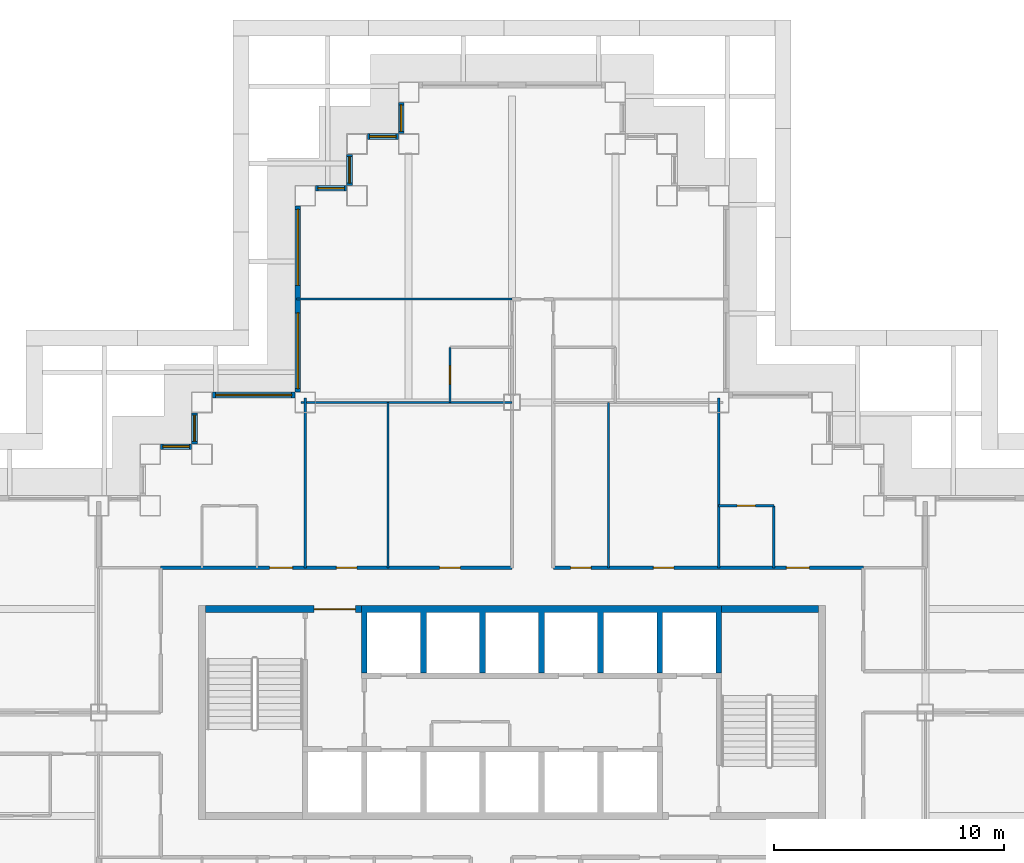
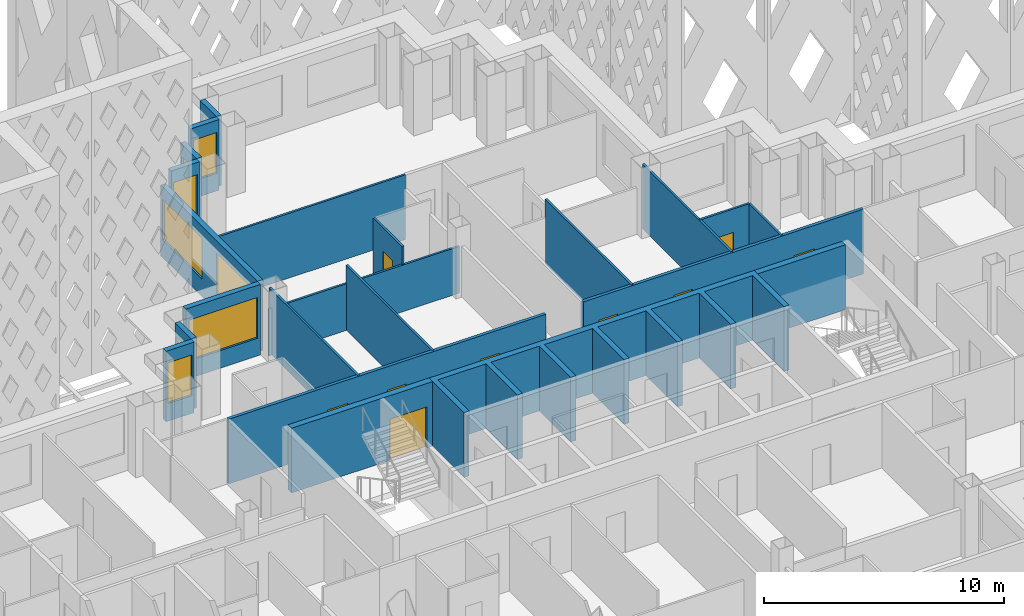
# One storey, part 7 of 21: 22 walls, 9 doors, 9 windows, 18 openings.
"""IFC4 building model written with IfcOpenShell, lengths in metres."""

from ifc_helpers import new_model, si_unit, direction, frame, frame_2d, origin, place, context, subcontext, project, spatial, polyline, rectangle, outline, extrude, material, layer, layer_set, type_object, element, fill, save


model = new_model("IFC4")

# Units and contexts
model_context = context("Model", 3, precision=1e-05, world=origin(), true_north=direction((0.0, 1.0)))
body_context = subcontext(model_context, "Body", "Model", "MODEL_VIEW")
ifc_project = project(units=[si_unit("LENGTHUNIT", "METRE"), si_unit("AREAUNIT", "SQUARE_METRE"), si_unit("VOLUMEUNIT", "CUBIC_METRE"), si_unit("PLANEANGLEUNIT", "RADIAN"), si_unit("MASSUNIT", "GRAM", prefix="KILO")], contexts=[model_context])

# Site, building, storey
site_placement = place(None, origin())
site = spatial("IfcSite", under=ifc_project, at=site_placement, CompositionType="ELEMENT")
building_placement = place(site_placement, origin())
building = spatial("IfcBuilding", under=site, at=building_placement, Name="Caravel Reach Hotel and Residences", CompositionType="ELEMENT")
storey_placement = place(building_placement, frame((0.0, 0.0, 100.800048828125)))
storey = spatial("IfcBuildingStorey", under=building, at=storey_placement, Name="L24", CompositionType="ELEMENT", Elevation=100.800048828125)

# Wall, opening, door
ifc_material_1 = material(Name="Gypsum board on steel stud", Category="steel")
ifc_layer_1 = layer(ifc_material_1, 0.10009765625)
ifc_layer_set_1 = layer_set([ifc_layer_1], Name="Bathroom pod wall 100 mm")
wall_type_1 = type_object("IfcWallType", Name="Bathroom pod wall 100 mm", PredefinedType="PARTITIONING", material=ifc_layer_set_1)
wall_1_placement = place(storey_placement, frame((40.5, 36.0, 0.0), z_axis=(0.0, 0.0, 1.0), x_axis=(1.0, 0.0, 0.0)))
wall_1 = element("IfcWall", 1, at=wall_1_placement, inside=storey, type_object=wall_type_1, Name="L24 wall w093", PredefinedType="PARTITIONING", context=body_context, shape_type="SweptSolid", body=[
    extrude(rectangle(XDim=2.39990234375, YDim=0.10009765625, at=frame_2d((1.199951171875, 0.0))), origin(), (0.0, 0.0, 1.0), 3.300048828125),
])
opening_1_placement = place(wall_1_placement, frame((0.800048828125, 0.0, 0.0)))
opening_1 = element("IfcOpeningElement", 2, at=opening_1_placement, cuts=wall_1, Name="Opening D24-048", PredefinedType="OPENING", context=body_context, shape_type="SweptSolid", body=[
    extrude(rectangle(XDim=0.800048828125, YDim=2.10009765625, at=frame_2d((0.39990234375, 1.050048828125))), frame((0.0, 0.06005859375, 0.0), z_axis=(0.0, -1.0, 0.0), x_axis=(1.0, 0.0, 0.0)), (0.0, 0.0, 1.0), 0.1201171875),
])
ifc_material_2 = material(Name="Timber and steel door leaf", Category="steel")
door_type_1 = type_object("IfcDoorType", Name="Bathroom door 800 x 2100", OperationType="SINGLE_SWING_LEFT", PredefinedType="DOOR", material=ifc_material_2)
door_1_placement = place(opening_1_placement, origin())
door_1 = element("IfcDoor", 3, at=door_1_placement, inside=storey, type_object=door_type_1, Name="door D24-048", OperationType="SINGLE_SWING_LEFT", OverallHeight=2.10009765625, OverallWidth=0.800048828125, PredefinedType="DOOR", context=body_context, shape_type="SweptSolid", body=[
    extrude(rectangle(XDim=0.800048828125, YDim=2.10009765625, at=frame_2d((0.39990234375, 1.050048828125))), frame((0.0, 0.02490234375, 0.0), z_axis=(0.0, -1.0, 0.0), x_axis=(1.0, 0.0, 0.0)), (0.0, 0.0, 1.0), 0.050048828125),
])
fill(opening_1, door_1)

wall_2_placement = place(storey_placement, frame((28.800048828125, 40.5, 0.0), z_axis=(0.0, 0.0, 1.0), x_axis=(0.0, 1.0, 0.0)))
wall_2 = element("IfcWall", 4, at=wall_2_placement, inside=storey, type_object=wall_type_1, Name="L24 wall w106", PredefinedType="PARTITIONING", context=body_context, shape_type="SweptSolid", body=[
    extrude(rectangle(XDim=2.39990234375, YDim=0.10009765625, at=frame_2d((1.199951171875, 0.0))), origin(), (0.0, 0.0, 1.0), 3.300048828125),
])
opening_2_placement = place(wall_2_placement, frame((0.800048828125, 0.0, 0.0)))
opening_2 = element("IfcOpeningElement", 5, at=opening_2_placement, cuts=wall_2, Name="Opening D24-029", PredefinedType="OPENING", context=body_context, shape_type="SweptSolid", body=[
    extrude(rectangle(XDim=0.800048828125, YDim=2.10009765625, at=frame_2d((0.39990234375, 1.050048828125))), frame((0.0, 0.06005859375, 0.0), z_axis=(0.0, -1.0, 0.0), x_axis=(1.0, 0.0, 0.0)), (0.0, 0.0, 1.0), 0.1201171875),
])
door_2_placement = place(opening_2_placement, origin())
door_2 = element("IfcDoor", 6, at=door_2_placement, inside=storey, type_object=door_type_1, Name="door D24-029", OperationType="SINGLE_SWING_LEFT", OverallHeight=2.10009765625, OverallWidth=0.800048828125, PredefinedType="DOOR", context=body_context, shape_type="SweptSolid", body=[
    extrude(rectangle(XDim=0.800048828125, YDim=2.10009765625, at=frame_2d((0.39990234375, 1.050048828125))), frame((0.0, 0.02490234375, 0.0), z_axis=(0.0, -1.0, 0.0), x_axis=(1.0, 0.0, 0.0)), (0.0, 0.0, 1.0), 0.050048828125),
])
fill(opening_2, door_2)

# Wall
wall_3_placement = place(storey_placement, frame((42.89990234375, 33.300048828125, 0.0), z_axis=(0.0, 0.0, 1.0), x_axis=(0.0, 1.0, 0.0)))
element("IfcWall", 7, at=wall_3_placement, inside=storey, type_object=wall_type_1, Name="L24 wall w111", PredefinedType="PARTITIONING", context=body_context, shape_type="SweptSolid", body=[
    extrude(rectangle(XDim=2.699951171875, YDim=0.10009765625, at=frame_2d((1.35009765625, 0.0))), origin(), (0.0, 0.0, 1.0), 3.300048828125),
])

# Wall, opening, door
ifc_material_3 = material(Name="Concrete C60", Category="concrete")
ifc_layer_2 = layer(ifc_material_3, 0.300048828125)
ifc_layer_set_2 = layer_set([ifc_layer_2], Name="Core wall 300 mm EI 120")
wall_type_2 = type_object("IfcWallType", Name="Core wall 300 mm EI 120", PredefinedType="SHEAR", material=ifc_layer_set_2)
wall_4_placement = place(storey_placement, frame((18.14990234375, 31.5, 0.0), z_axis=(0.0, 0.0, 1.0), x_axis=(1.0, 0.0, 0.0)))
wall_4 = element("IfcWall", 8, at=wall_4_placement, inside=storey, type_object=wall_type_2, Name="L24 core wall N1", PredefinedType="SHEAR", context=body_context, shape_type="SweptSolid", body=[
    extrude(rectangle(XDim=6.796630859375, YDim=0.300048828125, at=frame_2d((3.3984375, 0.0))), origin(), (0.0, 0.0, 1.0), 3.300048828125),
])
opening_3_placement = place(wall_4_placement, frame((4.735595703125, 0.0, 0.0)))
opening_3 = element("IfcOpeningElement", 9, at=opening_3_placement, cuts=wall_4, Name="Opening D24-013", PredefinedType="OPENING", context=body_context, shape_type="SweptSolid", body=[
    extrude(rectangle(XDim=1.800048828125, YDim=2.10009765625, at=frame_2d((0.89990234375, 1.050048828125))), frame((0.0, 0.159912109375, 0.0), z_axis=(0.0, -1.0, 0.0), x_axis=(1.0, 0.0, 0.0)), (0.0, 0.0, 1.0), 0.320068359375),
])
ifc_material_4 = material(Name="Steel fire door leaf", Category="steel")
door_type_2 = type_object("IfcDoorType", Name="Fire lobby door pair 1800 x 2100 EI 90", OperationType="DOUBLE_DOOR_SINGLE_SWING", PredefinedType="DOOR", material=ifc_material_4)
door_3_placement = place(opening_3_placement, origin())
door_3 = element("IfcDoor", 10, at=door_3_placement, inside=storey, type_object=door_type_2, Name="lobby N door pair to corridor", OperationType="DOUBLE_DOOR_SINGLE_SWING", OverallHeight=2.10009765625, OverallWidth=1.800048828125, PredefinedType="DOOR", context=body_context, shape_type="SweptSolid", body=[
    extrude(rectangle(XDim=1.800048828125, YDim=2.10009765625, at=frame_2d((0.89990234375, 1.050048828125))), frame((0.0, 0.02490234375, 0.0), z_axis=(0.0, -1.0, 0.0), x_axis=(1.0, 0.0, 0.0)), (0.0, 0.0, 1.0), 0.050048828125),
])
fill(opening_3, door_3)

# Wall
wall_5_placement = place(storey_placement, frame((40.625, 31.5, 0.0), z_axis=(0.0, 0.0, 1.0), x_axis=(1.0, 0.0, 0.0)))
element("IfcWall", 11, at=wall_5_placement, inside=storey, type_object=wall_type_2, Name="L24 core wall N2", PredefinedType="SHEAR", context=body_context, shape_type="SweptSolid", body=[
    extrude(rectangle(XDim=4.22509765625, YDim=0.300048828125, at=frame_2d((2.112548828125, 0.0))), origin(), (0.0, 0.0, 1.0), 3.300048828125),
])

# Wall, openings, doors
ifc_material_5 = material(Name="Gypsum board on steel stud, fire-rated", Category="steel")
ifc_layer_3 = layer(ifc_material_5, 0.14990234375)
ifc_layer_set_3 = layer_set([ifc_layer_3], Name="Corridor wall 150 mm EI 60")
wall_type_3 = type_object("IfcWallType", Name="Corridor wall 150 mm EI 60", PredefinedType="PARTITIONING", material=ifc_layer_set_3)
wall_6_placement = place(storey_placement, frame((16.199951171875, 33.300048828125, 0.0), z_axis=(0.0, 0.0, 1.0), x_axis=(1.0, 0.0, 0.0)))
wall_6 = element("IfcWall", 12, at=wall_6_placement, inside=storey, type_object=wall_type_3, Name="L24 wall w018", PredefinedType="PARTITIONING", context=body_context, shape_type="SweptSolid", body=[
    extrude(rectangle(XDim=15.300048828125, YDim=0.14990234375, at=frame_2d((7.64990234375, 0.0))), origin(), (0.0, 0.0, 1.0), 3.300048828125),
])
opening_4_placement = place(wall_6_placement, frame((4.75, 0.0, 0.0)))
opening_4 = element("IfcOpeningElement", 13, at=opening_4_placement, cuts=wall_6, Name="Opening D24-045", PredefinedType="OPENING", context=body_context, shape_type="SweptSolid", body=[
    extrude(rectangle(XDim=1.0, YDim=2.10009765625, at=frame_2d((0.5, 1.050048828125))), frame((0.0, 0.0849609375, 0.0), z_axis=(0.0, -1.0, 0.0), x_axis=(1.0, 0.0, 0.0)), (0.0, 0.0, 1.0), 0.169921875),
])
opening_5_placement = place(wall_6_placement, frame((7.650146484375, 0.0, 0.0)))
opening_5 = element("IfcOpeningElement", 14, at=opening_5_placement, cuts=wall_6, Name="Opening D24-053", PredefinedType="OPENING", context=body_context, shape_type="SweptSolid", body=[
    extrude(rectangle(XDim=0.89990234375, YDim=2.10009765625, at=frame_2d((0.449951171875, 1.050048828125))), frame((0.0, 0.0849609375, 0.0), z_axis=(0.0, -1.0, 0.0), x_axis=(1.0, 0.0, 0.0)), (0.0, 0.0, 1.0), 0.169921875),
])
opening_6_placement = place(wall_6_placement, frame((12.14990234375, 0.0, 0.0)))
opening_6 = element("IfcOpeningElement", 15, at=opening_6_placement, cuts=wall_6, Name="Opening D24-054", PredefinedType="OPENING", context=body_context, shape_type="SweptSolid", body=[
    extrude(rectangle(XDim=0.89990234375, YDim=2.10009765625, at=frame_2d((0.449951171875, 1.050048828125))), frame((0.0, 0.0849609375, 0.0), z_axis=(0.0, -1.0, 0.0), x_axis=(1.0, 0.0, 0.0)), (0.0, 0.0, 1.0), 0.169921875),
])
ifc_material_6 = material(Name="Timber and steel door leaf", Category="steel")
door_type_3 = type_object("IfcDoorType", Name="Door 900 x 2100 timber", OperationType="SINGLE_SWING_LEFT", PredefinedType="DOOR", material=ifc_material_6)
door_4_placement = place(opening_5_placement, origin())
door_4 = element("IfcDoor", 16, at=door_4_placement, inside=storey, type_object=door_type_3, Name="door D24-053", OperationType="SINGLE_SWING_LEFT", OverallHeight=2.10009765625, OverallWidth=0.89990234375, PredefinedType="DOOR", context=body_context, shape_type="SweptSolid", body=[
    extrude(rectangle(XDim=0.89990234375, YDim=2.10009765625, at=frame_2d((0.449951171875, 1.050048828125))), frame((0.0, 0.02490234375, 0.0), z_axis=(0.0, -1.0, 0.0), x_axis=(1.0, 0.0, 0.0)), (0.0, 0.0, 1.0), 0.050048828125),
])
fill(opening_5, door_4)
door_5_placement = place(opening_6_placement, origin())
door_5 = element("IfcDoor", 17, at=door_5_placement, inside=storey, type_object=door_type_3, Name="door D24-054", OperationType="SINGLE_SWING_RIGHT", OverallHeight=2.10009765625, OverallWidth=0.89990234375, PredefinedType="DOOR", context=body_context, shape_type="SweptSolid", body=[
    extrude(rectangle(XDim=0.89990234375, YDim=2.10009765625, at=frame_2d((0.449951171875, 1.050048828125))), frame((0.0, 0.02490234375, 0.0), z_axis=(0.0, -1.0, 0.0), x_axis=(1.0, 0.0, 0.0)), (0.0, 0.0, 1.0), 0.050048828125),
])
fill(opening_6, door_5)
ifc_material_7 = material(Name="Steel fire door leaf", Category="steel")
door_type_4 = type_object("IfcDoorType", Name="Guest room door 1000 x 2100 EI 30", OperationType="SINGLE_SWING_LEFT", PredefinedType="DOOR", material=ifc_material_7)
door_6_placement = place(opening_4_placement, origin())
door_6 = element("IfcDoor", 18, at=door_6_placement, inside=storey, type_object=door_type_4, Name="door D24-045", OperationType="SINGLE_SWING_RIGHT", OverallHeight=2.10009765625, OverallWidth=1.0, PredefinedType="DOOR", context=body_context, shape_type="SweptSolid", body=[
    extrude(rectangle(XDim=1.0, YDim=2.10009765625, at=frame_2d((0.5, 1.050048828125))), frame((0.0, 0.02490234375, 0.0), z_axis=(0.0, -1.0, 0.0), x_axis=(1.0, 0.0, 0.0)), (0.0, 0.0, 1.0), 0.050048828125),
])
fill(opening_4, door_6)

wall_7_placement = place(storey_placement, frame((33.300048828125, 33.300048828125, 0.0), z_axis=(0.0, 0.0, 1.0), x_axis=(1.0, 0.0, 0.0)))
wall_7 = element("IfcWall", 19, at=wall_7_placement, inside=storey, type_object=wall_type_3, Name="L24 wall w022", PredefinedType="PARTITIONING", context=body_context, shape_type="SweptSolid", body=[
    extrude(rectangle(XDim=13.5, YDim=0.14990234375, at=frame_2d((6.75, 0.0))), origin(), (0.0, 0.0, 1.0), 3.300048828125),
])
opening_7_placement = place(wall_7_placement, frame((10.14990234375, 0.0, 0.0)))
opening_7 = element("IfcOpeningElement", 20, at=opening_7_placement, cuts=wall_7, Name="Opening D24-047", PredefinedType="OPENING", context=body_context, shape_type="SweptSolid", body=[
    extrude(rectangle(XDim=1.0, YDim=2.10009765625, at=frame_2d((0.5, 1.050048828125))), frame((0.0, 0.0849609375, 0.0), z_axis=(0.0, -1.0, 0.0), x_axis=(1.0, 0.0, 0.0)), (0.0, 0.0, 1.0), 0.169921875),
])
opening_8_placement = place(wall_7_placement, frame((0.75, 0.0, 0.0)))
opening_8 = element("IfcOpeningElement", 21, at=opening_8_placement, cuts=wall_7, Name="Opening D24-055", PredefinedType="OPENING", context=body_context, shape_type="SweptSolid", body=[
    extrude(rectangle(XDim=0.89990234375, YDim=2.10009765625, at=frame_2d((0.449951171875, 1.050048828125))), frame((0.0, 0.0849609375, 0.0), z_axis=(0.0, -1.0, 0.0), x_axis=(1.0, 0.0, 0.0)), (0.0, 0.0, 1.0), 0.169921875),
])
opening_9_placement = place(wall_7_placement, frame((4.349853515625, 0.0, 0.0)))
opening_9 = element("IfcOpeningElement", 22, at=opening_9_placement, cuts=wall_7, Name="Opening D24-056", PredefinedType="OPENING", context=body_context, shape_type="SweptSolid", body=[
    extrude(rectangle(XDim=0.89990234375, YDim=2.10009765625, at=frame_2d((0.449951171875, 1.050048828125))), frame((0.0, 0.0849609375, 0.0), z_axis=(0.0, -1.0, 0.0), x_axis=(1.0, 0.0, 0.0)), (0.0, 0.0, 1.0), 0.169921875),
])
door_7_placement = place(opening_8_placement, origin())
door_7 = element("IfcDoor", 23, at=door_7_placement, inside=storey, type_object=door_type_3, Name="door D24-055", OperationType="SINGLE_SWING_RIGHT", OverallHeight=2.10009765625, OverallWidth=0.89990234375, PredefinedType="DOOR", context=body_context, shape_type="SweptSolid", body=[
    extrude(rectangle(XDim=0.89990234375, YDim=2.10009765625, at=frame_2d((0.449951171875, 1.050048828125))), frame((0.0, 0.02490234375, 0.0), z_axis=(0.0, -1.0, 0.0), x_axis=(1.0, 0.0, 0.0)), (0.0, 0.0, 1.0), 0.050048828125),
])
fill(opening_8, door_7)
door_8_placement = place(opening_9_placement, origin())
door_8 = element("IfcDoor", 24, at=door_8_placement, inside=storey, type_object=door_type_3, Name="door D24-056", OperationType="SINGLE_SWING_LEFT", OverallHeight=2.10009765625, OverallWidth=0.89990234375, PredefinedType="DOOR", context=body_context, shape_type="SweptSolid", body=[
    extrude(rectangle(XDim=0.89990234375, YDim=2.10009765625, at=frame_2d((0.449951171875, 1.050048828125))), frame((0.0, 0.02490234375, 0.0), z_axis=(0.0, -1.0, 0.0), x_axis=(1.0, 0.0, 0.0)), (0.0, 0.0, 1.0), 0.050048828125),
])
fill(opening_9, door_8)
door_9_placement = place(opening_7_placement, origin())
door_9 = element("IfcDoor", 25, at=door_9_placement, inside=storey, type_object=door_type_4, Name="door D24-047", OperationType="SINGLE_SWING_RIGHT", OverallHeight=2.10009765625, OverallWidth=1.0, PredefinedType="DOOR", context=body_context, shape_type="SweptSolid", body=[
    extrude(rectangle(XDim=1.0, YDim=2.10009765625, at=frame_2d((0.5, 1.050048828125))), frame((0.0, 0.02490234375, 0.0), z_axis=(0.0, -1.0, 0.0), x_axis=(1.0, 0.0, 0.0)), (0.0, 0.0, 1.0), 0.050048828125),
])
fill(opening_7, door_9)

# Wall, opening, window
ifc_material_8 = material(Name="Insulated rainscreen wall, aluminium cladding", Category="aluminium")
ifc_layer_4 = layer(ifc_material_8, 0.25)
ifc_layer_set_4 = layer_set([ifc_layer_4], Name="EW1 Tower rainscreen wall")
wall_type_4 = type_object("IfcWallType", Name="EW1 Tower rainscreen wall", PredefinedType="SOLIDWALL", material=ifc_layer_set_4)
wall_8_placement = place(storey_placement, frame((26.675048828125, 53.550048828125, 0.0), z_axis=(0.0, 0.0, 1.0), x_axis=(0.0, -1.0, 0.0)))
wall_8 = element("IfcWall", 26, at=wall_8_placement, inside=storey, type_object=wall_type_4, Name="External wall L24 W36.1", PredefinedType="SOLIDWALL", context=body_context, shape_type="SweptSolid", body=[
    extrude(rectangle(XDim=1.35009765625, YDim=0.25, at=frame_2d((0.675048828125, 0.0))), origin(), (0.0, 0.0, 1.0), 3.599853515625),
])
opening_10_placement = place(wall_8_placement, frame((0.10009765625, 0.0, 0.89990234375)))
opening_10 = element("IfcOpeningElement", 27, at=opening_10_placement, cuts=wall_8, Name="Opening WN8", PredefinedType="OPENING", context=body_context, shape_type="SweptSolid", body=[
    extrude(rectangle(XDim=1.14990234375, YDim=2.080078125, at=frame_2d((0.574951171875, 1.0400390625))), frame((0.0, 0.135009765625, 0.0), z_axis=(0.0, -1.0, 0.0), x_axis=(1.0, 0.0, 0.0)), (0.0, 0.0, 1.0), 0.27001953125),
])
ifc_material_9 = material(Name="Dark low-e glazing in black aluminium frame", Category="aluminium")
window_type_1 = type_object("IfcWindowType", Name="Hotel suite corner window 1150 x 2080", PartitioningType="SINGLE_PANEL", PredefinedType="WINDOW", material=ifc_material_9)
window_1_placement = place(opening_10_placement, origin())
window_1 = element("IfcWindow", 28, at=window_1_placement, inside=storey, type_object=window_type_1, Name="Window L24 W36.1.1", OverallHeight=2.080078125, OverallWidth=1.14990234375, PartitioningType="SINGLE_PANEL", PredefinedType="WINDOW", context=body_context, shape_type="SweptSolid", body=[
    extrude(rectangle(XDim=1.14990234375, YDim=2.080078125, at=frame_2d((0.574951171875, 1.0400390625))), frame((0.0, 0.030029296875, 0.0), z_axis=(0.0, -1.0, 0.0), x_axis=(1.0, 0.0, 0.0)), (0.0, 0.0, 1.0), 0.06005859375),
])
fill(opening_10, window_1)

wall_9_placement = place(storey_placement, frame((26.550048828125, 52.074951171875, 0.0), z_axis=(0.0, 0.0, 1.0), x_axis=(-1.0, 0.0, 0.0)))
wall_9 = element("IfcWall", 29, at=wall_9_placement, inside=storey, type_object=wall_type_4, Name="External wall L24 N37.1", PredefinedType="SOLIDWALL", context=body_context, shape_type="SweptSolid", body=[
    extrude(rectangle(XDim=1.35009765625, YDim=0.25, at=frame_2d((0.675048828125, 0.0))), origin(), (0.0, 0.0, 1.0), 3.599853515625),
])
opening_11_placement = place(wall_9_placement, frame((0.10009765625, 0.0, 0.89990234375)))
opening_11 = element("IfcOpeningElement", 30, at=opening_11_placement, cuts=wall_9, Name="Opening WN8", PredefinedType="OPENING", context=body_context, shape_type="SweptSolid", body=[
    extrude(rectangle(XDim=1.14990234375, YDim=2.080078125, at=frame_2d((0.574951171875, 1.0400390625))), frame((0.0, 0.135009765625, 0.0), z_axis=(0.0, -1.0, 0.0), x_axis=(1.0, 0.0, 0.0)), (0.0, 0.0, 1.0), 0.27001953125),
])
window_2_placement = place(opening_11_placement, origin())
window_2 = element("IfcWindow", 31, at=window_2_placement, inside=storey, type_object=window_type_1, Name="Window L24 N37.1.1", OverallHeight=2.080078125, OverallWidth=1.14990234375, PartitioningType="SINGLE_PANEL", PredefinedType="WINDOW", context=body_context, shape_type="SweptSolid", body=[
    extrude(rectangle(XDim=1.14990234375, YDim=2.080078125, at=frame_2d((0.574951171875, 1.0400390625))), frame((0.0, 0.030029296875, 0.0), z_axis=(0.0, -1.0, 0.0), x_axis=(1.0, 0.0, 0.0)), (0.0, 0.0, 1.0), 0.06005859375),
])
fill(opening_11, window_2)

wall_10_placement = place(storey_placement, frame((24.425048828125, 51.300048828125, 0.0), z_axis=(0.0, 0.0, 1.0), x_axis=(0.0, -1.0, 0.0)))
wall_10 = element("IfcWall", 32, at=wall_10_placement, inside=storey, type_object=wall_type_4, Name="External wall L24 W38.1", PredefinedType="SOLIDWALL", context=body_context, shape_type="SweptSolid", body=[
    extrude(rectangle(XDim=1.35009765625, YDim=0.25, at=frame_2d((0.675048828125, 0.0))), origin(), (0.0, 0.0, 1.0), 3.599853515625),
])
opening_12_placement = place(wall_10_placement, frame((0.10009765625, 0.0, 0.89990234375)))
opening_12 = element("IfcOpeningElement", 33, at=opening_12_placement, cuts=wall_10, Name="Opening WN8", PredefinedType="OPENING", context=body_context, shape_type="SweptSolid", body=[
    extrude(rectangle(XDim=1.14990234375, YDim=2.080078125, at=frame_2d((0.574951171875, 1.0400390625))), frame((0.0, 0.135009765625, 0.0), z_axis=(0.0, -1.0, 0.0), x_axis=(1.0, 0.0, 0.0)), (0.0, 0.0, 1.0), 0.27001953125),
])
window_3_placement = place(opening_12_placement, origin())
window_3 = element("IfcWindow", 34, at=window_3_placement, inside=storey, type_object=window_type_1, Name="Window L24 W38.1.1", OverallHeight=2.080078125, OverallWidth=1.14990234375, PartitioningType="SINGLE_PANEL", PredefinedType="WINDOW", context=body_context, shape_type="SweptSolid", body=[
    extrude(rectangle(XDim=1.14990234375, YDim=2.080078125, at=frame_2d((0.574951171875, 1.0400390625))), frame((0.0, 0.030029296875, 0.0), z_axis=(0.0, -1.0, 0.0), x_axis=(1.0, 0.0, 0.0)), (0.0, 0.0, 1.0), 0.06005859375),
])
fill(opening_12, window_3)

wall_11_placement = place(storey_placement, frame((24.300048828125, 49.824951171875, 0.0), z_axis=(0.0, 0.0, 1.0), x_axis=(-1.0, 0.0, 0.0)))
wall_11 = element("IfcWall", 35, at=wall_11_placement, inside=storey, type_object=wall_type_4, Name="External wall L24 N39.1", PredefinedType="SOLIDWALL", context=body_context, shape_type="SweptSolid", body=[
    extrude(rectangle(XDim=1.35009765625, YDim=0.25, at=frame_2d((0.675048828125, 0.0))), origin(), (0.0, 0.0, 1.0), 3.599853515625),
])
opening_13_placement = place(wall_11_placement, frame((0.10009765625, 0.0, 0.89990234375)))
opening_13 = element("IfcOpeningElement", 36, at=opening_13_placement, cuts=wall_11, Name="Opening WN8", PredefinedType="OPENING", context=body_context, shape_type="SweptSolid", body=[
    extrude(rectangle(XDim=1.14990234375, YDim=2.080078125, at=frame_2d((0.574951171875, 1.0400390625))), frame((0.0, 0.135009765625, 0.0), z_axis=(0.0, -1.0, 0.0), x_axis=(1.0, 0.0, 0.0)), (0.0, 0.0, 1.0), 0.27001953125),
])
window_4_placement = place(opening_13_placement, origin())
window_4 = element("IfcWindow", 37, at=window_4_placement, inside=storey, type_object=window_type_1, Name="Window L24 N39.1.1", OverallHeight=2.080078125, OverallWidth=1.14990234375, PartitioningType="SINGLE_PANEL", PredefinedType="WINDOW", context=body_context, shape_type="SweptSolid", body=[
    extrude(rectangle(XDim=1.14990234375, YDim=2.080078125, at=frame_2d((0.574951171875, 1.0400390625))), frame((0.0, 0.030029296875, 0.0), z_axis=(0.0, -1.0, 0.0), x_axis=(1.0, 0.0, 0.0)), (0.0, 0.0, 1.0), 0.06005859375),
])
fill(opening_13, window_4)

# Wall, openings, windows
wall_12_placement = place(storey_placement, frame((22.175048828125, 49.050048828125, 0.0), z_axis=(0.0, 0.0, 1.0), x_axis=(0.0, -1.0, 0.0)))
wall_12 = element("IfcWall", 38, at=wall_12_placement, inside=storey, type_object=wall_type_4, Name="External wall L24 W40.1", PredefinedType="SOLIDWALL", context=body_context, shape_type="SweptSolid", body=[
    extrude(rectangle(XDim=8.10009765625, YDim=0.25, at=frame_2d((4.050048828125, 0.0))), origin(), (0.0, 0.0, 1.0), 3.599853515625),
])
opening_14_placement = place(wall_12_placement, frame((0.14990234375, 0.0, 0.89990234375)))
opening_14 = element("IfcOpeningElement", 39, at=opening_14_placement, cuts=wall_12, Name="Opening WN4", PredefinedType="OPENING", context=body_context, shape_type="SweptSolid", body=[
    extrude(rectangle(XDim=3.300048828125, YDim=2.080078125, at=frame_2d((1.64990234375, 1.0400390625))), frame((0.0, 0.135009765625, 0.0), z_axis=(0.0, -1.0, 0.0), x_axis=(1.0, 0.0, 0.0)), (0.0, 0.0, 1.0), 0.27001953125),
])
opening_15_placement = place(wall_12_placement, frame((4.64990234375, 0.0, 0.89990234375)))
opening_15 = element("IfcOpeningElement", 40, at=opening_15_placement, cuts=wall_12, Name="Opening WN4", PredefinedType="OPENING", context=body_context, shape_type="SweptSolid", body=[
    extrude(rectangle(XDim=3.300048828125, YDim=2.080078125, at=frame_2d((1.64990234375, 1.0400390625))), frame((0.0, 0.135009765625, 0.0), z_axis=(0.0, -1.0, 0.0), x_axis=(1.0, 0.0, 0.0)), (0.0, 0.0, 1.0), 0.27001953125),
])
ifc_material_10 = material(Name="Dark low-e glazing in black aluminium frame", Category="aluminium")
window_type_2 = type_object("IfcWindowType", Name="Hotel guest room window 3300 x 2080", PartitioningType="SINGLE_PANEL", PredefinedType="WINDOW", material=ifc_material_10)
window_5_placement = place(opening_14_placement, origin())
window_5 = element("IfcWindow", 41, at=window_5_placement, inside=storey, type_object=window_type_2, Name="Window L24 W40.1.1", OverallHeight=2.080078125, OverallWidth=3.300048828125, PartitioningType="SINGLE_PANEL", PredefinedType="WINDOW", context=body_context, shape_type="SweptSolid", body=[
    extrude(rectangle(XDim=3.300048828125, YDim=2.080078125, at=frame_2d((1.64990234375, 1.0400390625))), frame((0.0, 0.030029296875, 0.0), z_axis=(0.0, -1.0, 0.0), x_axis=(1.0, 0.0, 0.0)), (0.0, 0.0, 1.0), 0.06005859375),
])
fill(opening_14, window_5)
window_6_placement = place(opening_15_placement, origin())
window_6 = element("IfcWindow", 42, at=window_6_placement, inside=storey, type_object=window_type_2, Name="Window L24 W40.1.2", OverallHeight=2.080078125, OverallWidth=3.300048828125, PartitioningType="SINGLE_PANEL", PredefinedType="WINDOW", context=body_context, shape_type="SweptSolid", body=[
    extrude(rectangle(XDim=3.300048828125, YDim=2.080078125, at=frame_2d((1.64990234375, 1.0400390625))), frame((0.0, 0.030029296875, 0.0), z_axis=(0.0, -1.0, 0.0), x_axis=(1.0, 0.0, 0.0)), (0.0, 0.0, 1.0), 0.06005859375),
])
fill(opening_15, window_6)

# Wall, opening, window
wall_13_placement = place(storey_placement, frame((22.050048828125, 40.824951171875, 0.0), z_axis=(0.0, 0.0, 1.0), x_axis=(-1.0, 0.0, 0.0)))
wall_13 = element("IfcWall", 43, at=wall_13_placement, inside=storey, type_object=wall_type_4, Name="External wall L24 N41.1", PredefinedType="SOLIDWALL", context=body_context, shape_type="SweptSolid", body=[
    extrude(rectangle(XDim=3.60009765625, YDim=0.25, at=frame_2d((1.800048828125, 0.0))), origin(), (0.0, 0.0, 1.0), 3.599853515625),
])
opening_16_placement = place(wall_13_placement, frame((0.14990234375, 0.0, 0.89990234375)))
opening_16 = element("IfcOpeningElement", 44, at=opening_16_placement, cuts=wall_13, Name="Opening WN4", PredefinedType="OPENING", context=body_context, shape_type="SweptSolid", body=[
    extrude(rectangle(XDim=3.300048828125, YDim=2.080078125, at=frame_2d((1.64990234375, 1.0400390625))), frame((0.0, 0.135009765625, 0.0), z_axis=(0.0, -1.0, 0.0), x_axis=(1.0, 0.0, 0.0)), (0.0, 0.0, 1.0), 0.27001953125),
])
window_7_placement = place(opening_16_placement, origin())
window_7 = element("IfcWindow", 45, at=window_7_placement, inside=storey, type_object=window_type_2, Name="Window L24 N41.1.1", OverallHeight=2.080078125, OverallWidth=3.300048828125, PartitioningType="SINGLE_PANEL", PredefinedType="WINDOW", context=body_context, shape_type="SweptSolid", body=[
    extrude(rectangle(XDim=3.300048828125, YDim=2.080078125, at=frame_2d((1.64990234375, 1.0400390625))), frame((0.0, 0.030029296875, 0.0), z_axis=(0.0, -1.0, 0.0), x_axis=(1.0, 0.0, 0.0)), (0.0, 0.0, 1.0), 0.06005859375),
])
fill(opening_16, window_7)

wall_14_placement = place(storey_placement, frame((17.675048828125, 40.050048828125, 0.0), z_axis=(0.0, 0.0, 1.0), x_axis=(0.0, -1.0, 0.0)))
wall_14 = element("IfcWall", 46, at=wall_14_placement, inside=storey, type_object=wall_type_4, Name="External wall L24 W42.1", PredefinedType="SOLIDWALL", context=body_context, shape_type="SweptSolid", body=[
    extrude(rectangle(XDim=1.35009765625, YDim=0.25, at=frame_2d((0.675048828125, 0.0))), origin(), (0.0, 0.0, 1.0), 3.599853515625),
])
opening_17_placement = place(wall_14_placement, frame((0.10009765625, 0.0, 0.89990234375)))
opening_17 = element("IfcOpeningElement", 47, at=opening_17_placement, cuts=wall_14, Name="Opening WN8", PredefinedType="OPENING", context=body_context, shape_type="SweptSolid", body=[
    extrude(rectangle(XDim=1.14990234375, YDim=2.080078125, at=frame_2d((0.574951171875, 1.0400390625))), frame((0.0, 0.135009765625, 0.0), z_axis=(0.0, -1.0, 0.0), x_axis=(1.0, 0.0, 0.0)), (0.0, 0.0, 1.0), 0.27001953125),
])
window_8_placement = place(opening_17_placement, origin())
window_8 = element("IfcWindow", 48, at=window_8_placement, inside=storey, type_object=window_type_1, Name="Window L24 W42.1.1", OverallHeight=2.080078125, OverallWidth=1.14990234375, PartitioningType="SINGLE_PANEL", PredefinedType="WINDOW", context=body_context, shape_type="SweptSolid", body=[
    extrude(rectangle(XDim=1.14990234375, YDim=2.080078125, at=frame_2d((0.574951171875, 1.0400390625))), frame((0.0, 0.030029296875, 0.0), z_axis=(0.0, -1.0, 0.0), x_axis=(1.0, 0.0, 0.0)), (0.0, 0.0, 1.0), 0.06005859375),
])
fill(opening_17, window_8)

wall_15_placement = place(storey_placement, frame((17.550048828125, 38.574951171875, 0.0), z_axis=(0.0, 0.0, 1.0), x_axis=(-1.0, 0.0, 0.0)))
wall_15 = element("IfcWall", 49, at=wall_15_placement, inside=storey, type_object=wall_type_4, Name="External wall L24 N43.1", PredefinedType="SOLIDWALL", context=body_context, shape_type="SweptSolid", body=[
    extrude(rectangle(XDim=1.35009765625, YDim=0.25, at=frame_2d((0.675048828125, 0.0))), origin(), (0.0, 0.0, 1.0), 3.599853515625),
])
opening_18_placement = place(wall_15_placement, frame((0.10009765625, 0.0, 0.89990234375)))
opening_18 = element("IfcOpeningElement", 50, at=opening_18_placement, cuts=wall_15, Name="Opening WN8", PredefinedType="OPENING", context=body_context, shape_type="SweptSolid", body=[
    extrude(rectangle(XDim=1.14990234375, YDim=2.080078125, at=frame_2d((0.574951171875, 1.0400390625))), frame((0.0, 0.135009765625, 0.0), z_axis=(0.0, -1.0, 0.0), x_axis=(1.0, 0.0, 0.0)), (0.0, 0.0, 1.0), 0.27001953125),
])
window_9_placement = place(opening_18_placement, origin())
window_9 = element("IfcWindow", 51, at=window_9_placement, inside=storey, type_object=window_type_1, Name="Window L24 N43.1.1", OverallHeight=2.080078125, OverallWidth=1.14990234375, PartitioningType="SINGLE_PANEL", PredefinedType="WINDOW", context=body_context, shape_type="SweptSolid", body=[
    extrude(rectangle(XDim=1.14990234375, YDim=2.080078125, at=frame_2d((0.574951171875, 1.0400390625))), frame((0.0, 0.030029296875, 0.0), z_axis=(0.0, -1.0, 0.0), x_axis=(1.0, 0.0, 0.0)), (0.0, 0.0, 1.0), 0.06005859375),
])
fill(opening_18, window_9)

# Walls
ifc_material_11 = material(Name="Gypsum board on steel stud", Category="steel")
ifc_layer_5 = layer(ifc_material_11, 0.10009765625)
ifc_layer_set_5 = layer_set([ifc_layer_5], Name="Partition 100 mm")
wall_type_5 = type_object("IfcWallType", Name="Partition 100 mm", PredefinedType="PARTITIONING", material=ifc_layer_set_5)
wall_16_placement = place(storey_placement, frame((22.31005859375, 40.5, 0.0), z_axis=(0.0, 0.0, 1.0), x_axis=(1.0, 0.0, 0.0)))
element("IfcWall", 52, at=wall_16_placement, inside=storey, type_object=wall_type_5, Name="L24 wall w051", PredefinedType="PARTITIONING", context=body_context, shape_type="SweptSolid", body=[
    extrude(rectangle(XDim=9.18994140625, YDim=0.10009765625, at=frame_2d((4.594970703125, 0.0))), origin(), (0.0, 0.0, 1.0), 2.3798828125),
])
wall_17_placement = place(storey_placement, frame((22.110107421875, 45.0, 0.0), z_axis=(0.0, 0.0, 1.0), x_axis=(1.0, 0.0, 0.0)))
element("IfcWall", 53, at=wall_17_placement, inside=storey, type_object=wall_type_5, Name="L24 wall w054", PredefinedType="PARTITIONING", context=body_context, shape_type="SweptSolid", body=[
    extrude(rectangle(XDim=9.389892578125, YDim=0.10009765625, at=frame_2d((4.69482421875, 0.0))), origin(), (0.0, 0.0, 1.0), 3.300048828125),
])
wall_18_placement = place(storey_placement, frame((22.5, 33.300048828125, 0.0), z_axis=(0.0, 0.0, 1.0), x_axis=(0.0, 1.0, 0.0)))
element("IfcWall", 54, at=wall_18_placement, inside=storey, type_object=wall_type_5, Name="L24 wall w058", PredefinedType="PARTITIONING", context=body_context, shape_type="SweptSolid", body=[
    extrude(rectangle(XDim=7.389892578125, YDim=0.10009765625, at=frame_2d((3.69482421875, 0.0))), origin(), (0.0, 0.0, 1.0), 3.300048828125),
])
for number, where, z_axis, x_axis, name in (
    (55, (26.10009765625, 33.300048828125, 0.0), (0.0, 0.0, 1.0), (0.0, 1.0, 0.0), "L24 wall w061"),
    (56, (35.699951171875, 33.300048828125, 0.0), (0.0, 0.0, 1.0), (0.0, 1.0, 0.0), "L24 wall w062"),
):
    element("IfcWall", number, at=place(storey_placement, frame(where, z_axis=z_axis, x_axis=x_axis)), inside=storey, type_object=wall_type_5, Name=name, PredefinedType="PARTITIONING", context=body_context, shape_type="SweptSolid", body=[
        extrude(rectangle(XDim=7.199951171875, YDim=0.10009765625, at=frame_2d((3.60009765625, 0.0))), origin(), (0.0, 0.0, 1.0), 3.300048828125),
    ])
wall_19_placement = place(storey_placement, frame((40.5, 33.300048828125, 0.0), z_axis=(0.0, 0.0, 1.0), x_axis=(0.0, 1.0, 0.0)))
element("IfcWall", 57, at=wall_19_placement, inside=storey, type_object=wall_type_5, Name="L24 wall w063", PredefinedType="PARTITIONING", context=body_context, shape_type="SweptSolid", body=[
    extrude(rectangle(XDim=7.389892578125, YDim=0.10009765625, at=frame_2d((3.69482421875, 0.0))), origin(), (0.0, 0.0, 1.0), 3.300048828125),
])
ifc_material_12 = material(Name="Concrete C60", Category="concrete")
ifc_layer_6 = layer(ifc_material_12, 0.25)
ifc_layer_set_6 = layer_set([ifc_layer_6], Name="Shaft wall 250 mm EI 120")
wall_type_6 = type_object("IfcWallType", Name="Shaft wall 250 mm EI 120", PredefinedType="SHEAR", material=ifc_layer_set_6)
wall_20_placement = place(storey_placement, origin())
element("IfcWall", 58, at=wall_20_placement, inside=storey, type_object=wall_type_6, Name="L24 lift shaft wall N1", PredefinedType="SHEAR", context=body_context, shape_type="SweptSolid", body=[
    extrude(outline(polyline([(24.946533203125, 28.72509765625), (25.196533203125, 28.72509765625), (25.196533203125, 31.35009765625), (27.517822265625, 31.35009765625), (27.517822265625, 28.72509765625), (27.767822265625, 28.72509765625), (27.767822265625, 31.35009765625), (30.08935546875, 31.35009765625), (30.08935546875, 28.72509765625), (30.33935546875, 28.72509765625), (30.33935546875, 31.35009765625), (32.66064453125, 31.35009765625), (32.66064453125, 28.72509765625), (32.91064453125, 28.72509765625), (32.91064453125, 31.35009765625), (35.232177734375, 31.35009765625), (35.232177734375, 28.72509765625), (35.482177734375, 28.72509765625), (35.482177734375, 31.35009765625), (37.803466796875, 31.35009765625), (37.803466796875, 28.72509765625), (38.053466796875, 28.72509765625), (38.053466796875, 31.35009765625), (40.375, 31.35009765625), (40.375, 28.72509765625), (40.625, 28.72509765625), (40.625, 31.64990234375), (24.946533203125, 31.64990234375), (24.946533203125, 28.72509765625)])), origin(), (0.0, 0.0, 1.0), 3.300048828125),
])

save(model, "model.ifc")
